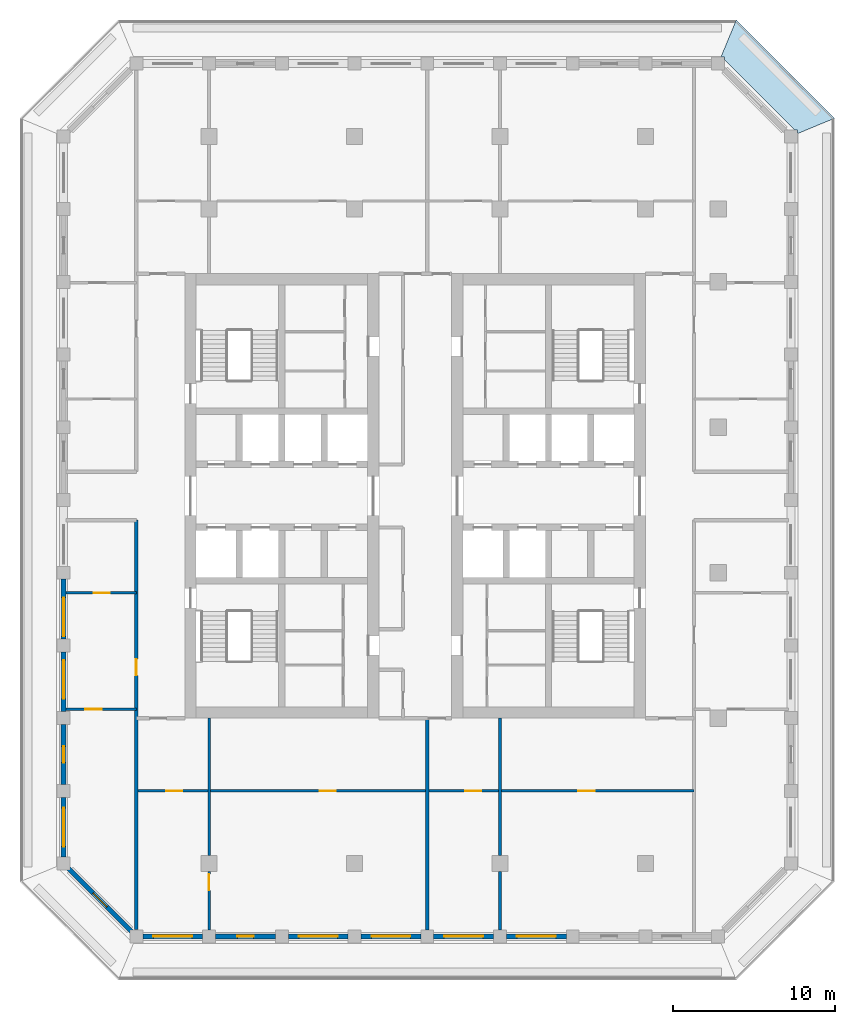
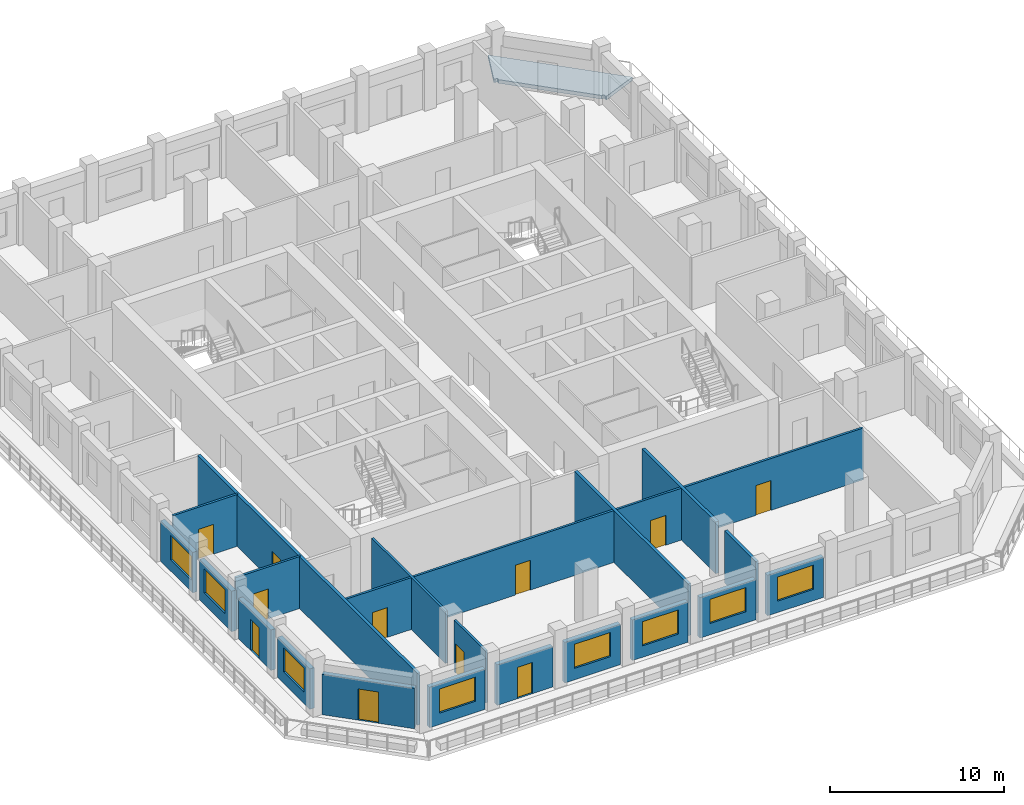
# One storey, part 2 of 17: 20 walls, 11 doors, 8 windows, 1 slab, 19 openings.
"""IFC4 building model written with IfcOpenShell, lengths in metres."""

from ifc_helpers import new_model, si_unit, direction, frame, frame_2d, origin, place, context, subcontext, project, spatial, polyline, rectangle, outline, extrude, material, layer, layer_set, type_object, element, fill, save


model = new_model("IFC4")

# Units and contexts
model_context = context("Model", 3, precision=1e-05, world=origin(), true_north=direction((0.0, 1.0)))
body_context = subcontext(model_context, "Body", "Model", "MODEL_VIEW")
ifc_project = project(units=[si_unit("LENGTHUNIT", "METRE"), si_unit("AREAUNIT", "SQUARE_METRE"), si_unit("VOLUMEUNIT", "CUBIC_METRE"), si_unit("PLANEANGLEUNIT", "RADIAN"), si_unit("MASSUNIT", "GRAM", prefix="KILO")], contexts=[model_context])

# Site, building, storey
site_placement = place(None, origin())
site = spatial("IfcSite", under=ifc_project, at=site_placement, CompositionType="ELEMENT")
building_placement = place(site_placement, origin())
building = spatial("IfcBuilding", under=site, at=building_placement, Name="Corbel Stack Research Tower", CompositionType="ELEMENT")
storey_placement = place(building_placement, frame((0.0, 0.0, 243.89990234375)))
storey = spatial("IfcBuildingStorey", under=building, at=storey_placement, Name="L55", CompositionType="ELEMENT", Elevation=243.89990234375)

# Slab
ifc_material_1 = material(Name="Concrete C45/55", Category="concrete")
ifc_layer_1 = layer(ifc_material_1, 0.25)
ifc_layer_set_1 = layer_set([ifc_layer_1], Name="Concrete C45/55")
slab_type = type_object("IfcSlabType", Name="PT balcony slab 250 C45/55", PredefinedType="FLOOR", material=ifc_layer_set_1)
slab_placement = place(storey_placement, frame((0.0, 0.0, -0.25)))
element("IfcSlab", 1, at=slab_placement, inside=storey, type_object=slab_type, Name="Loggia slab L55 NE", PredefinedType="FLOOR", context=body_context, shape_type="SweptSolid", body=[
    extrude(outline(polyline([(22.686279296875, 31.949951171875), (22.736328125, 31.89990234375), (22.89990234375, 31.89990234375), (22.89990234375, 31.736328125), (27.236328125, 27.39990234375), (27.39990234375, 27.39990234375), (27.39990234375, 27.236328125), (27.449951171875, 27.186279296875), (29.699951171875, 28.118408203125), (23.618408203125, 34.199951171875), (22.686279296875, 31.949951171875)])), origin(), (0.0, 0.0, 1.0), 0.25),
])

# Wall, opening, door
ifc_material_2 = material(Name="Fire-rated gypsum board partition on steel studs", Category="steel")
ifc_layer_2 = layer(ifc_material_2, 0.14990234375)
ifc_layer_set_2 = layer_set([ifc_layer_2], Name="Fire-rated gypsum board partition on steel studs")
wall_type_1 = type_object("IfcWallType", Name="Fire-rated partition 150 EI 60", PredefinedType="PARTITIONING", material=ifc_layer_set_2)
wall_1_placement = place(storey_placement, frame((-9.0, -18.5, 0.0), z_axis=(0.0, 0.0, 1.0), x_axis=(0.0, -1.0, 0.0)))
wall_1 = element("IfcWall", 2, at=wall_1_placement, inside=storey, type_object=wall_type_1, Name="Partition L55-003", PredefinedType="PARTITIONING", context=body_context, shape_type="SweptSolid", body=[
    extrude(rectangle(XDim=3.60009765625, YDim=0.14990234375, at=frame_2d((1.800048828125, 0.0))), origin(), (0.0, 0.0, 1.0), 3.650146484375),
])
opening_1_placement = place(wall_1_placement, frame((0.14990234375, 0.0, 0.0)))
opening_1 = element("IfcOpeningElement", 3, at=opening_1_placement, cuts=wall_1, Name="Opening B7V1-007", PredefinedType="OPENING", context=body_context, shape_type="SweptSolid", body=[
    extrude(rectangle(XDim=1.0, YDim=2.10009765625, at=frame_2d((0.5, 1.050048828125))), frame((0.0, 0.0849609375, 0.0), z_axis=(0.0, -1.0, 0.0), x_axis=(1.0, 0.0, 0.0)), (0.0, 0.0, 1.0), 0.169921875),
])
ifc_material_3 = material(Name="Painted steel fire door", Category="steel")
door_type_1 = type_object("IfcDoorType", Name="Fire door FD30S 1000 x 2100", OperationType="NOTDEFINED", PredefinedType="DOOR", material=ifc_material_3)
door_1_placement = place(opening_1_placement, origin())
door_1 = element("IfcDoor", 4, at=door_1_placement, inside=storey, type_object=door_type_1, Name="Door B7V1-007", OperationType="SINGLE_SWING_LEFT", OverallHeight=2.10009765625, OverallWidth=1.0, PredefinedType="DOOR", context=body_context, shape_type="SweptSolid", body=[
    extrude(rectangle(XDim=1.0, YDim=2.10009765625, at=frame_2d((0.5, 1.050048828125))), frame((0.0, 0.02490234375, 0.0), z_axis=(0.0, -1.0, 0.0), x_axis=(1.0, 0.0, 0.0)), (0.0, 0.0, 1.0), 0.050048828125),
])
fill(opening_1, door_1)

ifc_material_4 = material(Name="Fire-rated gypsum board partition on steel studs", Category="steel")
ifc_layer_3 = layer(ifc_material_4, 0.199951171875)
ifc_layer_set_3 = layer_set([ifc_layer_3], Name="Fire-rated gypsum board partition on steel studs")
wall_type_2 = type_object("IfcWallType", Name="Fire-rated partition 200 EI 60", PredefinedType="PARTITIONING", material=ifc_layer_set_3)
wall_2_placement = place(storey_placement, frame((-13.5, -22.0771484375, 0.0), z_axis=(0.0, 0.0, 1.0), x_axis=(0.0, 1.0, 0.0)))
wall_2 = element("IfcWall", 5, at=wall_2_placement, inside=storey, type_object=wall_type_2, Name="Partition L55-001", PredefinedType="PARTITIONING", context=body_context, shape_type="SweptSolid", body=[
    extrude(rectangle(XDim=25.3271484375, YDim=0.199951171875, at=frame_2d((12.66357421875, 0.0))), origin(), (0.0, 0.0, 1.0), 3.650146484375),
])
opening_2_placement = place(wall_2_placement, frame((15.727294921875, 0.0, 0.0)))
opening_2 = element("IfcOpeningElement", 6, at=opening_2_placement, cuts=wall_2, Name="Opening B7V1-002", PredefinedType="OPENING", context=body_context, shape_type="SweptSolid", body=[
    extrude(rectangle(XDim=1.0, YDim=2.10009765625, at=frame_2d((0.5, 1.050048828125))), frame((0.0, 0.10986328125, 0.0), z_axis=(0.0, -1.0, 0.0), x_axis=(1.0, 0.0, 0.0)), (0.0, 0.0, 1.0), 0.219970703125),
])
door_2_placement = place(opening_2_placement, origin())
door_2 = element("IfcDoor", 7, at=door_2_placement, inside=storey, type_object=door_type_1, Name="Door B7V1-002", OperationType="SINGLE_SWING_RIGHT", OverallHeight=2.10009765625, OverallWidth=1.0, PredefinedType="DOOR", context=body_context, shape_type="SweptSolid", body=[
    extrude(rectangle(XDim=1.0, YDim=2.10009765625, at=frame_2d((0.5, 1.050048828125))), frame((0.0, 0.02490234375, 0.0), z_axis=(0.0, -1.0, 0.0), x_axis=(1.0, 0.0, 0.0)), (0.0, 0.0, 1.0), 0.050048828125),
])
fill(opening_2, door_2)

# Walls
wall_3_placement = place(storey_placement, frame((4.5, -22.10009765625, 0.0), z_axis=(0.0, 0.0, 1.0), x_axis=(0.0, 1.0, 0.0)))
element("IfcWall", 8, at=wall_3_placement, inside=storey, type_object=wall_type_2, Name="Partition L55-011", PredefinedType="PARTITIONING", context=body_context, shape_type="SweptSolid", body=[
    extrude(rectangle(XDim=13.10009765625, YDim=0.199951171875, at=frame_2d((6.550048828125, 0.0))), origin(), (0.0, 0.0, 1.0), 3.650146484375),
])
wall_4_placement = place(storey_placement, frame((9.0, -22.10009765625, 0.0), z_axis=(0.0, 0.0, 1.0), x_axis=(0.0, 1.0, 0.0)))
element("IfcWall", 9, at=wall_4_placement, inside=storey, type_object=wall_type_2, Name="Partition L55-013", PredefinedType="PARTITIONING", context=body_context, shape_type="SweptSolid", body=[
    extrude(rectangle(XDim=3.60009765625, YDim=0.199951171875, at=frame_2d((1.800048828125, 0.0))), origin(), (0.0, 0.0, 1.0), 3.650146484375),
])
wall_5_placement = place(storey_placement, frame((9.0, -17.5, 0.0), z_axis=(0.0, 0.0, 1.0), x_axis=(0.0, 1.0, 0.0)))
element("IfcWall", 10, at=wall_5_placement, inside=storey, type_object=wall_type_2, Name="Partition L55-014", PredefinedType="PARTITIONING", context=body_context, shape_type="SweptSolid", body=[
    extrude(rectangle(XDim=8.5, YDim=0.199951171875, at=frame_2d((4.25, 0.0))), origin(), (0.0, 0.0, 1.0), 3.650146484375),
])
ifc_material_5 = material(Name="Gypsum board partition on steel studs", Category="steel")
ifc_layer_4 = layer(ifc_material_5, 0.14990234375)
ifc_layer_set_4 = layer_set([ifc_layer_4], Name="Gypsum board partition on steel studs")
wall_type_3 = type_object("IfcWallType", Name="Partition 150", PredefinedType="PARTITIONING", material=ifc_layer_set_4)
wall_6_placement = place(storey_placement, frame((-9.0, -17.5, 0.0), z_axis=(0.0, 0.0, 1.0), x_axis=(0.0, 1.0, 0.0)))
element("IfcWall", 11, at=wall_6_placement, inside=storey, type_object=wall_type_3, Name="Partition L55-004", PredefinedType="PARTITIONING", context=body_context, shape_type="SweptSolid", body=[
    extrude(rectangle(XDim=8.5, YDim=0.14990234375, at=frame_2d((4.25, 0.0))), origin(), (0.0, 0.0, 1.0), 3.650146484375),
])

# Wall, openings, doors
wall_7_placement = place(storey_placement, frame((21.0, -13.5, 0.0), z_axis=(0.0, 0.0, 1.0), x_axis=(-1.0, 0.0, 0.0)))
wall_7 = element("IfcWall", 12, at=wall_7_placement, inside=storey, type_object=wall_type_3, Name="Partition L55-020", PredefinedType="PARTITIONING", context=body_context, shape_type="SweptSolid", body=[
    extrude(rectangle(XDim=34.5, YDim=0.14990234375, at=frame_2d((17.25, 0.0))), origin(), (0.0, 0.0, 1.0), 3.650146484375),
])
opening_3_placement = place(wall_7_placement, frame((31.64990234375, 0.0, 0.0)))
opening_3 = element("IfcOpeningElement", 13, at=opening_3_placement, cuts=wall_7, Name="Opening B7V1-001", PredefinedType="OPENING", context=body_context, shape_type="SweptSolid", body=[
    extrude(rectangle(XDim=1.0, YDim=2.10009765625, at=frame_2d((0.5, 1.050048828125))), frame((0.0, 0.0849609375, 0.0), z_axis=(0.0, -1.0, 0.0), x_axis=(1.0, 0.0, 0.0)), (0.0, 0.0, 1.0), 0.169921875),
])
opening_4_placement = place(wall_7_placement, frame((22.14990234375, 0.0, 0.0)))
opening_4 = element("IfcOpeningElement", 14, at=opening_4_placement, cuts=wall_7, Name="Opening B7V1-003", PredefinedType="OPENING", context=body_context, shape_type="SweptSolid", body=[
    extrude(rectangle(XDim=1.0, YDim=2.10009765625, at=frame_2d((0.5, 1.050048828125))), frame((0.0, 0.0849609375, 0.0), z_axis=(0.0, -1.0, 0.0), x_axis=(1.0, 0.0, 0.0)), (0.0, 0.0, 1.0), 0.169921875),
])
opening_5_placement = place(wall_7_placement, frame((13.14990234375, 0.0, 0.0)))
opening_5 = element("IfcOpeningElement", 15, at=opening_5_placement, cuts=wall_7, Name="Opening B7V1-004", PredefinedType="OPENING", context=body_context, shape_type="SweptSolid", body=[
    extrude(rectangle(XDim=1.0, YDim=2.10009765625, at=frame_2d((0.5, 1.050048828125))), frame((0.0, 0.0849609375, 0.0), z_axis=(0.0, -1.0, 0.0), x_axis=(1.0, 0.0, 0.0)), (0.0, 0.0, 1.0), 0.169921875),
])
opening_6_placement = place(wall_7_placement, frame((6.14990234375, 0.0, 0.0)))
opening_6 = element("IfcOpeningElement", 16, at=opening_6_placement, cuts=wall_7, Name="Opening B7V1-005", PredefinedType="OPENING", context=body_context, shape_type="SweptSolid", body=[
    extrude(rectangle(XDim=1.0, YDim=2.10009765625, at=frame_2d((0.5, 1.050048828125))), frame((0.0, 0.0849609375, 0.0), z_axis=(0.0, -1.0, 0.0), x_axis=(1.0, 0.0, 0.0)), (0.0, 0.0, 1.0), 0.169921875),
])
ifc_material_6 = material(Name="Painted timber door", Category="wood")
door_type_2 = type_object("IfcDoorType", Name="Single door 1000 x 2100", OperationType="NOTDEFINED", PredefinedType="DOOR", material=ifc_material_6)
door_3_placement = place(opening_3_placement, origin())
door_3 = element("IfcDoor", 17, at=door_3_placement, inside=storey, type_object=door_type_2, Name="Door B7V1-001", OperationType="SINGLE_SWING_RIGHT", OverallHeight=2.10009765625, OverallWidth=1.0, PredefinedType="DOOR", context=body_context, shape_type="SweptSolid", body=[
    extrude(rectangle(XDim=1.0, YDim=2.10009765625, at=frame_2d((0.5, 1.050048828125))), frame((0.0, 0.02490234375, 0.0), z_axis=(0.0, -1.0, 0.0), x_axis=(1.0, 0.0, 0.0)), (0.0, 0.0, 1.0), 0.050048828125),
])
fill(opening_3, door_3)
door_4_placement = place(opening_4_placement, origin())
door_4 = element("IfcDoor", 18, at=door_4_placement, inside=storey, type_object=door_type_2, Name="Door B7V1-003", OperationType="SINGLE_SWING_RIGHT", OverallHeight=2.10009765625, OverallWidth=1.0, PredefinedType="DOOR", context=body_context, shape_type="SweptSolid", body=[
    extrude(rectangle(XDim=1.0, YDim=2.10009765625, at=frame_2d((0.5, 1.050048828125))), frame((0.0, 0.02490234375, 0.0), z_axis=(0.0, -1.0, 0.0), x_axis=(1.0, 0.0, 0.0)), (0.0, 0.0, 1.0), 0.050048828125),
])
fill(opening_4, door_4)
door_5_placement = place(opening_5_placement, origin())
door_5 = element("IfcDoor", 19, at=door_5_placement, inside=storey, type_object=door_type_2, Name="Door B7V1-004", OperationType="SINGLE_SWING_LEFT", OverallHeight=2.10009765625, OverallWidth=1.0, PredefinedType="DOOR", context=body_context, shape_type="SweptSolid", body=[
    extrude(rectangle(XDim=1.0, YDim=2.10009765625, at=frame_2d((0.5, 1.050048828125))), frame((0.0, 0.02490234375, 0.0), z_axis=(0.0, -1.0, 0.0), x_axis=(1.0, 0.0, 0.0)), (0.0, 0.0, 1.0), 0.050048828125),
])
fill(opening_5, door_5)
door_6_placement = place(opening_6_placement, origin())
door_6 = element("IfcDoor", 20, at=door_6_placement, inside=storey, type_object=door_type_2, Name="Door B7V1-005", OperationType="SINGLE_SWING_LEFT", OverallHeight=2.10009765625, OverallWidth=1.0, PredefinedType="DOOR", context=body_context, shape_type="SweptSolid", body=[
    extrude(rectangle(XDim=1.0, YDim=2.10009765625, at=frame_2d((0.5, 1.050048828125))), frame((0.0, 0.02490234375, 0.0), z_axis=(0.0, -1.0, 0.0), x_axis=(1.0, 0.0, 0.0)), (0.0, 0.0, 1.0), 0.050048828125),
])
fill(opening_6, door_6)

# Wall, opening, door
wall_8_placement = place(storey_placement, frame((-13.5, -8.449951171875, 0.0), z_axis=(0.0, 0.0, 1.0), x_axis=(-1.0, 0.0, 0.0)))
wall_8 = element("IfcWall", 21, at=wall_8_placement, inside=storey, type_object=wall_type_3, Name="Partition L55-024", PredefinedType="PARTITIONING", context=body_context, shape_type="SweptSolid", body=[
    extrude(rectangle(XDim=4.35009765625, YDim=0.14990234375, at=frame_2d((2.175048828125, 0.0))), origin(), (0.0, 0.0, 1.0), 3.650146484375),
])
opening_7_placement = place(wall_8_placement, frame((2.14990234375, 0.0, 0.0)))
opening_7 = element("IfcOpeningElement", 22, at=opening_7_placement, cuts=wall_8, Name="Opening B7V1-011", PredefinedType="OPENING", context=body_context, shape_type="SweptSolid", body=[
    extrude(rectangle(XDim=1.0, YDim=2.10009765625, at=frame_2d((0.5, 1.050048828125))), frame((0.0, 0.0849609375, 0.0), z_axis=(0.0, -1.0, 0.0), x_axis=(1.0, 0.0, 0.0)), (0.0, 0.0, 1.0), 0.169921875),
])
door_7_placement = place(opening_7_placement, origin())
door_7 = element("IfcDoor", 23, at=door_7_placement, inside=storey, type_object=door_type_2, Name="Door B7V1-011", OperationType="SINGLE_SWING_RIGHT", OverallHeight=2.10009765625, OverallWidth=1.0, PredefinedType="DOOR", context=body_context, shape_type="SweptSolid", body=[
    extrude(rectangle(XDim=1.0, YDim=2.10009765625, at=frame_2d((0.5, 1.050048828125))), frame((0.0, 0.02490234375, 0.0), z_axis=(0.0, -1.0, 0.0), x_axis=(1.0, 0.0, 0.0)), (0.0, 0.0, 1.0), 0.050048828125),
])
fill(opening_7, door_7)

wall_9_placement = place(storey_placement, frame((-17.85009765625, -1.25, 0.0), z_axis=(0.0, 0.0, 1.0), x_axis=(1.0, 0.0, 0.0)))
wall_9 = element("IfcWall", 24, at=wall_9_placement, inside=storey, type_object=wall_type_3, Name="Partition L55-029", PredefinedType="PARTITIONING", context=body_context, shape_type="SweptSolid", body=[
    extrude(rectangle(XDim=4.35009765625, YDim=0.14990234375, at=frame_2d((2.175048828125, 0.0))), origin(), (0.0, 0.0, 1.0), 3.650146484375),
])
opening_8_placement = place(wall_9_placement, frame((1.699951171875, 0.0, 0.0)))
opening_8 = element("IfcOpeningElement", 25, at=opening_8_placement, cuts=wall_9, Name="Opening B7V1-013", PredefinedType="OPENING", context=body_context, shape_type="SweptSolid", body=[
    extrude(rectangle(XDim=1.0, YDim=2.10009765625, at=frame_2d((0.5, 1.050048828125))), frame((0.0, 0.0849609375, 0.0), z_axis=(0.0, -1.0, 0.0), x_axis=(1.0, 0.0, 0.0)), (0.0, 0.0, 1.0), 0.169921875),
])
door_8_placement = place(opening_8_placement, origin())
door_8 = element("IfcDoor", 26, at=door_8_placement, inside=storey, type_object=door_type_2, Name="Door B7V1-013", OperationType="SINGLE_SWING_LEFT", OverallHeight=2.10009765625, OverallWidth=1.0, PredefinedType="DOOR", context=body_context, shape_type="SweptSolid", body=[
    extrude(rectangle(XDim=1.0, YDim=2.10009765625, at=frame_2d((0.5, 1.050048828125))), frame((0.0, 0.02490234375, 0.0), z_axis=(0.0, -1.0, 0.0), x_axis=(1.0, 0.0, 0.0)), (0.0, 0.0, 1.0), 0.050048828125),
])
fill(opening_8, door_8)

# Wall, opening, window
ifc_material_7 = material(Name="Concrete C45/55", Category="concrete")
ifc_layer_5 = layer(ifc_material_7, 0.300048828125)
ifc_layer_set_5 = layer_set([ifc_layer_5], Name="Concrete C45/55")
wall_type_4 = type_object("IfcWallType", Name="Terracotta-faced concrete wall 300", PredefinedType="SOLIDWALL", material=ifc_layer_set_5)
wall_10_placement = place(storey_placement, frame((-9.39990234375, -22.5, 0.0), z_axis=(0.0, 0.0, 1.0), x_axis=(-1.0, 0.0, 0.0)))
wall_10 = element("IfcWall", 27, at=wall_10_placement, inside=storey, type_object=wall_type_4, Name="Facade wall L55 S01", PredefinedType="SOLIDWALL", context=body_context, shape_type="SweptSolid", body=[
    extrude(rectangle(XDim=3.7001953125, YDim=0.300048828125, at=frame_2d((1.85009765625, 0.0))), origin(), (0.0, 0.0, 1.0), 2.85009765625),
])
opening_9_placement = place(wall_10_placement, frame((0.64990234375, 0.0, 0.800048828125)))
opening_9 = element("IfcOpeningElement", 28, at=opening_9_placement, cuts=wall_10, Name="Opening W1", PredefinedType="OPENING", context=body_context, shape_type="SweptSolid", body=[
    extrude(rectangle(XDim=2.39990234375, YDim=1.699951171875, at=frame_2d((1.199951171875, 0.85009765625))), frame((0.0, 0.159912109375, 0.0), z_axis=(0.0, -1.0, 0.0), x_axis=(1.0, 0.0, 0.0)), (0.0, 0.0, 1.0), 0.320068359375),
])
ifc_material_8 = material(Name="Aluminium frame, clear double glazing", Category="aluminium")
window_type = type_object("IfcWindowType", Name="Window W1 2400 x 1700", PartitioningType="SINGLE_PANEL", PredefinedType="WINDOW", material=ifc_material_8)
window_1_placement = place(opening_9_placement, origin())
window_1 = element("IfcWindow", 29, at=window_1_placement, inside=storey, type_object=window_type, Name="Window W1 L55 S01", OverallHeight=1.699951171875, OverallWidth=2.39990234375, PartitioningType="SINGLE_PANEL", PredefinedType="WINDOW", context=body_context, shape_type="SweptSolid", body=[
    extrude(rectangle(XDim=2.39990234375, YDim=1.699951171875, at=frame_2d((1.199951171875, 0.85009765625))), frame((0.0, 0.030029296875, 0.0), z_axis=(0.0, -1.0, 0.0), x_axis=(1.0, 0.0, 0.0)), (0.0, 0.0, 1.0), 0.06005859375),
])
fill(opening_9, window_1)

# Wall, opening, door
wall_11_placement = place(storey_placement, frame((-4.89990234375, -22.5, 0.0), z_axis=(0.0, 0.0, 1.0), x_axis=(-1.0, 0.0, 0.0)))
wall_11 = element("IfcWall", 30, at=wall_11_placement, inside=storey, type_object=wall_type_4, Name="Facade wall L55 S02", PredefinedType="SOLIDWALL", context=body_context, shape_type="SweptSolid", body=[
    extrude(rectangle(XDim=3.7001953125, YDim=0.300048828125, at=frame_2d((1.85009765625, 0.0))), origin(), (0.0, 0.0, 1.0), 2.85009765625),
])
opening_10_placement = place(wall_11_placement, frame((1.35009765625, 0.0, 0.0)))
opening_10 = element("IfcOpeningElement", 31, at=opening_10_placement, cuts=wall_11, Name="Opening L55-B01", PredefinedType="OPENING", context=body_context, shape_type="SweptSolid", body=[
    extrude(rectangle(XDim=1.0, YDim=2.199951171875, at=frame_2d((0.5, 1.10009765625))), frame((0.0, 0.159912109375, 0.0), z_axis=(0.0, -1.0, 0.0), x_axis=(1.0, 0.0, 0.0)), (0.0, 0.0, 1.0), 0.320068359375),
])
ifc_material_9 = material(Name="Aluminium frame, clear double glazing", Category="aluminium")
door_type_3 = type_object("IfcDoorType", Name="Balcony door BD1 1000 x 2200", OperationType="NOTDEFINED", PredefinedType="DOOR", material=ifc_material_9)
door_9_placement = place(opening_10_placement, origin())
door_9 = element("IfcDoor", 32, at=door_9_placement, inside=storey, type_object=door_type_3, Name="Balcony door L55-B01", OperationType="SINGLE_SWING_LEFT", OverallHeight=2.199951171875, OverallWidth=1.0, PredefinedType="DOOR", context=body_context, shape_type="SweptSolid", body=[
    extrude(rectangle(XDim=1.0, YDim=2.199951171875, at=frame_2d((0.5, 1.10009765625))), frame((0.0, 0.02490234375, 0.0), z_axis=(0.0, -1.0, 0.0), x_axis=(1.0, 0.0, 0.0)), (0.0, 0.0, 1.0), 0.050048828125),
])
fill(opening_10, door_9)

# Wall, opening, window
wall_12_placement = place(storey_placement, frame((-0.39990234375, -22.5, 0.0), z_axis=(0.0, 0.0, 1.0), x_axis=(-1.0, 0.0, 0.0)))
wall_12 = element("IfcWall", 33, at=wall_12_placement, inside=storey, type_object=wall_type_4, Name="Facade wall L55 S03", PredefinedType="SOLIDWALL", context=body_context, shape_type="SweptSolid", body=[
    extrude(rectangle(XDim=3.7001953125, YDim=0.300048828125, at=frame_2d((1.85009765625, 0.0))), origin(), (0.0, 0.0, 1.0), 2.85009765625),
])
opening_11_placement = place(wall_12_placement, frame((0.64990234375, 0.0, 0.800048828125)))
opening_11 = element("IfcOpeningElement", 34, at=opening_11_placement, cuts=wall_12, Name="Opening W1", PredefinedType="OPENING", context=body_context, shape_type="SweptSolid", body=[
    extrude(rectangle(XDim=2.39990234375, YDim=1.699951171875, at=frame_2d((1.199951171875, 0.85009765625))), frame((0.0, 0.159912109375, 0.0), z_axis=(0.0, -1.0, 0.0), x_axis=(1.0, 0.0, 0.0)), (0.0, 0.0, 1.0), 0.320068359375),
])
window_2_placement = place(opening_11_placement, origin())
window_2 = element("IfcWindow", 35, at=window_2_placement, inside=storey, type_object=window_type, Name="Window W1 L55 S03", OverallHeight=1.699951171875, OverallWidth=2.39990234375, PartitioningType="SINGLE_PANEL", PredefinedType="WINDOW", context=body_context, shape_type="SweptSolid", body=[
    extrude(rectangle(XDim=2.39990234375, YDim=1.699951171875, at=frame_2d((1.199951171875, 0.85009765625))), frame((0.0, 0.030029296875, 0.0), z_axis=(0.0, -1.0, 0.0), x_axis=(1.0, 0.0, 0.0)), (0.0, 0.0, 1.0), 0.06005859375),
])
fill(opening_11, window_2)

wall_13_placement = place(storey_placement, frame((4.10009765625, -22.5, 0.0), z_axis=(0.0, 0.0, 1.0), x_axis=(-1.0, 0.0, 0.0)))
wall_13 = element("IfcWall", 36, at=wall_13_placement, inside=storey, type_object=wall_type_4, Name="Facade wall L55 S04", PredefinedType="SOLIDWALL", context=body_context, shape_type="SweptSolid", body=[
    extrude(rectangle(XDim=3.7001953125, YDim=0.300048828125, at=frame_2d((1.85009765625, 0.0))), origin(), (0.0, 0.0, 1.0), 2.85009765625),
])
opening_12_placement = place(wall_13_placement, frame((0.64990234375, 0.0, 0.800048828125)))
opening_12 = element("IfcOpeningElement", 37, at=opening_12_placement, cuts=wall_13, Name="Opening W1", PredefinedType="OPENING", context=body_context, shape_type="SweptSolid", body=[
    extrude(rectangle(XDim=2.39990234375, YDim=1.699951171875, at=frame_2d((1.199951171875, 0.85009765625))), frame((0.0, 0.159912109375, 0.0), z_axis=(0.0, -1.0, 0.0), x_axis=(1.0, 0.0, 0.0)), (0.0, 0.0, 1.0), 0.320068359375),
])
window_3_placement = place(opening_12_placement, origin())
window_3 = element("IfcWindow", 38, at=window_3_placement, inside=storey, type_object=window_type, Name="Window W1 L55 S04", OverallHeight=1.699951171875, OverallWidth=2.39990234375, PartitioningType="SINGLE_PANEL", PredefinedType="WINDOW", context=body_context, shape_type="SweptSolid", body=[
    extrude(rectangle(XDim=2.39990234375, YDim=1.699951171875, at=frame_2d((1.199951171875, 0.85009765625))), frame((0.0, 0.030029296875, 0.0), z_axis=(0.0, -1.0, 0.0), x_axis=(1.0, 0.0, 0.0)), (0.0, 0.0, 1.0), 0.06005859375),
])
fill(opening_12, window_3)

wall_14_placement = place(storey_placement, frame((8.60009765625, -22.5, 0.0), z_axis=(0.0, 0.0, 1.0), x_axis=(-1.0, 0.0, 0.0)))
wall_14 = element("IfcWall", 39, at=wall_14_placement, inside=storey, type_object=wall_type_4, Name="Facade wall L55 S05", PredefinedType="SOLIDWALL", context=body_context, shape_type="SweptSolid", body=[
    extrude(rectangle(XDim=3.7001953125, YDim=0.300048828125, at=frame_2d((1.85009765625, 0.0))), origin(), (0.0, 0.0, 1.0), 2.85009765625),
])
opening_13_placement = place(wall_14_placement, frame((0.64990234375, 0.0, 0.800048828125)))
opening_13 = element("IfcOpeningElement", 40, at=opening_13_placement, cuts=wall_14, Name="Opening W1", PredefinedType="OPENING", context=body_context, shape_type="SweptSolid", body=[
    extrude(rectangle(XDim=2.39990234375, YDim=1.699951171875, at=frame_2d((1.199951171875, 0.85009765625))), frame((0.0, 0.159912109375, 0.0), z_axis=(0.0, -1.0, 0.0), x_axis=(1.0, 0.0, 0.0)), (0.0, 0.0, 1.0), 0.320068359375),
])
window_4_placement = place(opening_13_placement, origin())
window_4 = element("IfcWindow", 41, at=window_4_placement, inside=storey, type_object=window_type, Name="Window W1 L55 S05", OverallHeight=1.699951171875, OverallWidth=2.39990234375, PartitioningType="SINGLE_PANEL", PredefinedType="WINDOW", context=body_context, shape_type="SweptSolid", body=[
    extrude(rectangle(XDim=2.39990234375, YDim=1.699951171875, at=frame_2d((1.199951171875, 0.85009765625))), frame((0.0, 0.030029296875, 0.0), z_axis=(0.0, -1.0, 0.0), x_axis=(1.0, 0.0, 0.0)), (0.0, 0.0, 1.0), 0.06005859375),
])
fill(opening_13, window_4)

wall_15_placement = place(storey_placement, frame((13.10009765625, -22.5, 0.0), z_axis=(0.0, 0.0, 1.0), x_axis=(-1.0, 0.0, 0.0)))
wall_15 = element("IfcWall", 42, at=wall_15_placement, inside=storey, type_object=wall_type_4, Name="Facade wall L55 S06", PredefinedType="SOLIDWALL", context=body_context, shape_type="SweptSolid", body=[
    extrude(rectangle(XDim=3.7001953125, YDim=0.300048828125, at=frame_2d((1.85009765625, 0.0))), origin(), (0.0, 0.0, 1.0), 2.85009765625),
])
opening_14_placement = place(wall_15_placement, frame((0.64990234375, 0.0, 0.800048828125)))
opening_14 = element("IfcOpeningElement", 43, at=opening_14_placement, cuts=wall_15, Name="Opening W1", PredefinedType="OPENING", context=body_context, shape_type="SweptSolid", body=[
    extrude(rectangle(XDim=2.39990234375, YDim=1.699951171875, at=frame_2d((1.199951171875, 0.85009765625))), frame((0.0, 0.159912109375, 0.0), z_axis=(0.0, -1.0, 0.0), x_axis=(1.0, 0.0, 0.0)), (0.0, 0.0, 1.0), 0.320068359375),
])
window_5_placement = place(opening_14_placement, origin())
window_5 = element("IfcWindow", 44, at=window_5_placement, inside=storey, type_object=window_type, Name="Window W1 L55 S06", OverallHeight=1.699951171875, OverallWidth=2.39990234375, PartitioningType="SINGLE_PANEL", PredefinedType="WINDOW", context=body_context, shape_type="SweptSolid", body=[
    extrude(rectangle(XDim=2.39990234375, YDim=1.699951171875, at=frame_2d((1.199951171875, 0.85009765625))), frame((0.0, 0.030029296875, 0.0), z_axis=(0.0, -1.0, 0.0), x_axis=(1.0, 0.0, 0.0)), (0.0, 0.0, 1.0), 0.06005859375),
])
fill(opening_14, window_5)

wall_16_placement = place(storey_placement, frame((-18.0, -4.10009765625, 0.0), z_axis=(0.0, 0.0, 1.0), x_axis=(0.0, 1.0, 0.0)))
wall_16 = element("IfcWall", 45, at=wall_16_placement, inside=storey, type_object=wall_type_4, Name="Facade wall L55 W07", PredefinedType="SOLIDWALL", context=body_context, shape_type="SweptSolid", body=[
    extrude(rectangle(XDim=3.7001953125, YDim=0.300048828125, at=frame_2d((1.85009765625, 0.0))), origin(), (0.0, 0.0, 1.0), 2.85009765625),
])
opening_15_placement = place(wall_16_placement, frame((0.16259765625, 0.0, 0.800048828125)))
opening_15 = element("IfcOpeningElement", 46, at=opening_15_placement, cuts=wall_16, Name="Opening W1", PredefinedType="OPENING", context=body_context, shape_type="SweptSolid", body=[
    extrude(rectangle(XDim=2.39990234375, YDim=1.699951171875, at=frame_2d((1.199951171875, 0.85009765625))), frame((0.0, 0.159912109375, 0.0), z_axis=(0.0, -1.0, 0.0), x_axis=(1.0, 0.0, 0.0)), (0.0, 0.0, 1.0), 0.320068359375),
])
window_6_placement = place(opening_15_placement, origin())
window_6 = element("IfcWindow", 47, at=window_6_placement, inside=storey, type_object=window_type, Name="Window W1 L55 W07", OverallHeight=1.699951171875, OverallWidth=2.39990234375, PartitioningType="SINGLE_PANEL", PredefinedType="WINDOW", context=body_context, shape_type="SweptSolid", body=[
    extrude(rectangle(XDim=2.39990234375, YDim=1.699951171875, at=frame_2d((1.199951171875, 0.85009765625))), frame((0.0, 0.030029296875, 0.0), z_axis=(0.0, -1.0, 0.0), x_axis=(1.0, 0.0, 0.0)), (0.0, 0.0, 1.0), 0.06005859375),
])
fill(opening_15, window_6)

wall_17_placement = place(storey_placement, frame((-18.0, -8.60009765625, 0.0), z_axis=(0.0, 0.0, 1.0), x_axis=(0.0, 1.0, 0.0)))
wall_17 = element("IfcWall", 48, at=wall_17_placement, inside=storey, type_object=wall_type_4, Name="Facade wall L55 W08", PredefinedType="SOLIDWALL", context=body_context, shape_type="SweptSolid", body=[
    extrude(rectangle(XDim=3.7001953125, YDim=0.300048828125, at=frame_2d((1.85009765625, 0.0))), origin(), (0.0, 0.0, 1.0), 2.85009765625),
])
opening_16_placement = place(wall_17_placement, frame((0.78759765625, 0.0, 0.800048828125)))
opening_16 = element("IfcOpeningElement", 49, at=opening_16_placement, cuts=wall_17, Name="Opening W1", PredefinedType="OPENING", context=body_context, shape_type="SweptSolid", body=[
    extrude(rectangle(XDim=2.39990234375, YDim=1.699951171875, at=frame_2d((1.199951171875, 0.85009765625))), frame((0.0, 0.159912109375, 0.0), z_axis=(0.0, -1.0, 0.0), x_axis=(1.0, 0.0, 0.0)), (0.0, 0.0, 1.0), 0.320068359375),
])
window_7_placement = place(opening_16_placement, origin())
window_7 = element("IfcWindow", 50, at=window_7_placement, inside=storey, type_object=window_type, Name="Window W1 L55 W08", OverallHeight=1.699951171875, OverallWidth=2.39990234375, PartitioningType="SINGLE_PANEL", PredefinedType="WINDOW", context=body_context, shape_type="SweptSolid", body=[
    extrude(rectangle(XDim=2.39990234375, YDim=1.699951171875, at=frame_2d((1.199951171875, 0.85009765625))), frame((0.0, 0.030029296875, 0.0), z_axis=(0.0, -1.0, 0.0), x_axis=(1.0, 0.0, 0.0)), (0.0, 0.0, 1.0), 0.06005859375),
])
fill(opening_16, window_7)

# Wall, opening, door
wall_18_placement = place(storey_placement, frame((-18.0, -13.10009765625, 0.0), z_axis=(0.0, 0.0, 1.0), x_axis=(0.0, 1.0, 0.0)))
wall_18 = element("IfcWall", 51, at=wall_18_placement, inside=storey, type_object=wall_type_4, Name="Facade wall L55 W09", PredefinedType="SOLIDWALL", context=body_context, shape_type="SweptSolid", body=[
    extrude(rectangle(XDim=3.7001953125, YDim=0.300048828125, at=frame_2d((1.85009765625, 0.0))), origin(), (0.0, 0.0, 1.0), 2.85009765625),
])
opening_17_placement = place(wall_18_placement, frame((1.35009765625, 0.0, 0.0)))
opening_17 = element("IfcOpeningElement", 52, at=opening_17_placement, cuts=wall_18, Name="Opening L55-B11", PredefinedType="OPENING", context=body_context, shape_type="SweptSolid", body=[
    extrude(rectangle(XDim=1.0, YDim=2.199951171875, at=frame_2d((0.5, 1.10009765625))), frame((0.0, 0.159912109375, 0.0), z_axis=(0.0, -1.0, 0.0), x_axis=(1.0, 0.0, 0.0)), (0.0, 0.0, 1.0), 0.320068359375),
])
door_10_placement = place(opening_17_placement, origin())
door_10 = element("IfcDoor", 53, at=door_10_placement, inside=storey, type_object=door_type_3, Name="Balcony door L55-B11", OperationType="SINGLE_SWING_RIGHT", OverallHeight=2.199951171875, OverallWidth=1.0, PredefinedType="DOOR", context=body_context, shape_type="SweptSolid", body=[
    extrude(rectangle(XDim=1.0, YDim=2.199951171875, at=frame_2d((0.5, 1.10009765625))), frame((0.0, 0.02490234375, 0.0), z_axis=(0.0, -1.0, 0.0), x_axis=(1.0, 0.0, 0.0)), (0.0, 0.0, 1.0), 0.050048828125),
])
fill(opening_17, door_10)

# Wall, opening, window
wall_19_placement = place(storey_placement, frame((-18.0, -17.60009765625, 0.0), z_axis=(0.0, 0.0, 1.0), x_axis=(0.0, 1.0, 0.0)))
wall_19 = element("IfcWall", 54, at=wall_19_placement, inside=storey, type_object=wall_type_4, Name="Facade wall L55 W10", PredefinedType="SOLIDWALL", context=body_context, shape_type="SweptSolid", body=[
    extrude(rectangle(XDim=3.7001953125, YDim=0.300048828125, at=frame_2d((1.85009765625, 0.0))), origin(), (0.0, 0.0, 1.0), 2.85009765625),
])
opening_18_placement = place(wall_19_placement, frame((0.64990234375, 0.0, 0.800048828125)))
opening_18 = element("IfcOpeningElement", 55, at=opening_18_placement, cuts=wall_19, Name="Opening W1", PredefinedType="OPENING", context=body_context, shape_type="SweptSolid", body=[
    extrude(rectangle(XDim=2.39990234375, YDim=1.699951171875, at=frame_2d((1.199951171875, 0.85009765625))), frame((0.0, 0.159912109375, 0.0), z_axis=(0.0, -1.0, 0.0), x_axis=(1.0, 0.0, 0.0)), (0.0, 0.0, 1.0), 0.320068359375),
])
window_8_placement = place(opening_18_placement, origin())
window_8 = element("IfcWindow", 56, at=window_8_placement, inside=storey, type_object=window_type, Name="Window W1 L55 W10", OverallHeight=1.699951171875, OverallWidth=2.39990234375, PartitioningType="SINGLE_PANEL", PredefinedType="WINDOW", context=body_context, shape_type="SweptSolid", body=[
    extrude(rectangle(XDim=2.39990234375, YDim=1.699951171875, at=frame_2d((1.199951171875, 0.85009765625))), frame((0.0, 0.030029296875, 0.0), z_axis=(0.0, -1.0, 0.0), x_axis=(1.0, 0.0, 0.0)), (0.0, 0.0, 1.0), 0.06005859375),
])
fill(opening_18, window_8)

# Wall, opening, door
wall_20_placement = place(storey_placement, frame((-13.7939453125, -22.2060546875, 0.0), z_axis=(0.0, 0.0, 1.0), x_axis=(-0.707106781187, 0.707106781187, 0.0)))
wall_20 = element("IfcWall", 57, at=wall_20_placement, inside=storey, type_object=wall_type_4, Name="Facade wall L55 SW01", PredefinedType="SOLIDWALL", context=body_context, shape_type="SweptSolid", body=[
    extrude(rectangle(XDim=5.532470703125, YDim=0.300048828125, at=frame_2d((2.76611328125, 0.0))), origin(), (0.0, 0.0, 1.0), 2.85009765625),
])
opening_19_placement = place(wall_20_placement, frame((2.166259765625, 0.0, 0.0)))
opening_19 = element("IfcOpeningElement", 58, at=opening_19_placement, cuts=wall_20, Name="Opening L55-B12", PredefinedType="OPENING", context=body_context, shape_type="SweptSolid", body=[
    extrude(rectangle(XDim=1.199951171875, YDim=2.199951171875, at=frame_2d((0.60009765625, 1.10009765625))), frame((0.0, 0.159912109375, 0.0), z_axis=(0.0, -1.0, 0.0), x_axis=(1.0, 0.0, 0.0)), (0.0, 0.0, 1.0), 0.320068359375),
])
ifc_material_10 = material(Name="Aluminium frame, clear double glazing", Category="aluminium")
door_type_4 = type_object("IfcDoorType", Name="Balcony door BD2 1200 x 2200", OperationType="NOTDEFINED", PredefinedType="DOOR", material=ifc_material_10)
door_11_placement = place(opening_19_placement, origin())
door_11 = element("IfcDoor", 59, at=door_11_placement, inside=storey, type_object=door_type_4, Name="Balcony door L55-B12", OperationType="SINGLE_SWING_RIGHT", OverallHeight=2.199951171875, OverallWidth=1.199951171875, PredefinedType="DOOR", context=body_context, shape_type="SweptSolid", body=[
    extrude(rectangle(XDim=1.199951171875, YDim=2.199951171875, at=frame_2d((0.60009765625, 1.10009765625))), frame((0.0, 0.02490234375, 0.0), z_axis=(0.0, -1.0, 0.0), x_axis=(1.0, 0.0, 0.0)), (0.0, 0.0, 1.0), 0.050048828125),
])
fill(opening_19, door_11)

save(model, "model.ifc")
